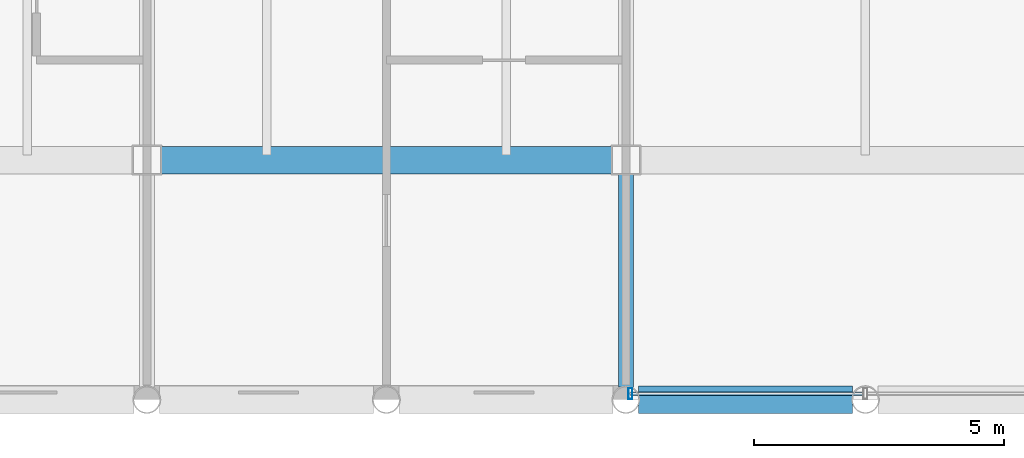
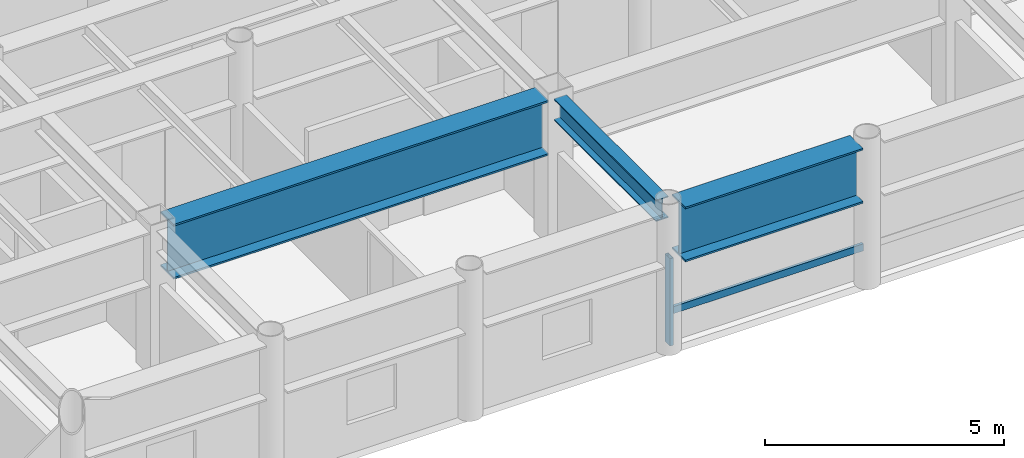
# One storey, part 6 of 27: 3 beams, 2 members, 1 element without a shape of its own.
"""IFC4 building model written with IfcOpenShell, lengths in metres."""

from ifc_helpers import new_model, si_unit, direction, frame, origin, origin_2d, place, context, subcontext, project, spatial, hollow_rectangle, i_section, extrude, material, layer, layer_set, material_profile, profile_set, type_object, element, aggregate, save


model = new_model("IFC4")

# Units and contexts
model_context = context("Model", 3, precision=1e-05, world=origin(), true_north=direction((0.0, 1.0)))
body_context = subcontext(model_context, "Body", "Model", "MODEL_VIEW")
ifc_project = project(units=[si_unit("LENGTHUNIT", "METRE"), si_unit("AREAUNIT", "SQUARE_METRE"), si_unit("VOLUMEUNIT", "CUBIC_METRE"), si_unit("PLANEANGLEUNIT", "RADIAN"), si_unit("MASSUNIT", "GRAM", prefix="KILO")], contexts=[model_context])

# Site, building, storey
site_placement = place(None, origin())
site = spatial("IfcSite", under=ifc_project, at=site_placement, CompositionType="ELEMENT")
building_placement = place(site_placement, origin())
building = spatial("IfcBuilding", under=site, at=building_placement, Name="Kallvorn Hotel Tower", CompositionType="ELEMENT")
storey_placement = place(building_placement, frame((0.0, 0.0, 245.39990234375)))
storey = spatial("IfcBuildingStorey", under=building, at=storey_placement, Name="L61", CompositionType="ELEMENT", Elevation=245.39990234375)

# Beams
ifc_material_1 = material(Name="Structural steel S355JR", Category="steel")
ifc_material_profile_1 = material_profile(ifc_material_1, i_section(OverallWidth=0.300048828125, OverallDepth=0.550048828125, WebThickness=0.014892578125, FlangeThickness=0.029052734375, at=origin_2d()), Name="HE 550 B")
ifc_profile_set_1 = profile_set([ifc_material_profile_1], Name="Structural steel S355JR")
beam_type_1 = type_object("IfcBeamType", Name="BM_HE550B", PredefinedType="SPANDREL", material=ifc_profile_set_1)
beam_1_placement = place(storey_placement, frame((-4.800048828125, -18.945556640625, 3.39501953125), z_axis=(0.0, 1.0, 0.0), x_axis=(-1.0, 0.0, 0.0)))
element("IfcBeam", 1, at=beam_1_placement, inside=storey, type_object=beam_type_1, Name="L62 Primary Y-Girder 114", PredefinedType="SPANDREL", context=body_context, shape_type="SweptSolid", body=[
    extrude(i_section(OverallWidth=0.300048828125, OverallDepth=0.550048828125, WebThickness=0.014892578125, FlangeThickness=0.029052734375, at=origin_2d()), origin(), (0.0, 0.0, 1.0), 4.2705078125),
])
ifc_material_2 = material(Name="Structural steel S355JR", Category="steel")
ifc_material_profile_2 = material_profile(ifc_material_2, i_section(OverallWidth=0.550048828125, OverallDepth=1.39990234375, WebThickness=0.02490234375, FlangeThickness=0.044921875, at=origin_2d()), Name="PG 1400x550x25x45")
ifc_profile_set_2 = profile_set([ifc_material_profile_2], Name="Structural steel S355JR")
beam_type_2 = type_object("IfcBeamType", Name="BM_PG_1400", PredefinedType="BEAM", material=ifc_profile_set_2)
beam_2_placement = place(storey_placement, frame((-4.54541015625, -19.199951171875, 2.97021484375), z_axis=(1.0, 0.0, 0.0), x_axis=(0.0, 1.0, 0.0)))
element("IfcBeam", 2, at=beam_2_placement, inside=storey, type_object=beam_type_2, Name="L62 Primary X-Girder 15", PredefinedType="BEAM", context=body_context, shape_type="SweptSolid", body=[
    extrude(i_section(OverallWidth=0.550048828125, OverallDepth=1.39990234375, WebThickness=0.02490234375, FlangeThickness=0.044921875, at=origin_2d()), origin(), (0.0, 0.0, 1.0), 4.291015625),
])
beam_3_placement = place(storey_placement, frame((-14.125, -14.39990234375, 2.97021484375), z_axis=(1.0, 0.0, 0.0), x_axis=(0.0, 1.0, 0.0)))
element("IfcBeam", 3, at=beam_3_placement, inside=storey, type_object=beam_type_2, Name="L62 Primary X-Girder 25", PredefinedType="BEAM", context=body_context, shape_type="SweptSolid", body=[
    extrude(i_section(OverallWidth=0.550048828125, OverallDepth=1.39990234375, WebThickness=0.02490234375, FlangeThickness=0.044921875, at=origin_2d()), origin(), (0.0, 0.0, 1.0), 9.050048828125),
])

# Curtain wall, members
ifc_material_3 = material(Name="Thermally broken black-anodised aluminium AA 6063-T6", Category="aluminium")
ifc_layer = layer(ifc_material_3, 0.22998046875)
ifc_layer_set = layer_set([ifc_layer], Name="CW_SYS_5_HOTEL_HIGH")
curtain_wall_type = type_object("IfcCurtainWallType", Name="CW_SYS_5_HOTEL_HIGH", PredefinedType="USERDEFINED", material=ifc_layer_set)
curtain_wall_placement = place(storey_placement, origin())
curtain_wall = element("IfcCurtainWall", 4, at=curtain_wall_placement, inside=storey, type_object=curtain_wall_type, Name="L61 Dark-Glass Curtain Wall CW-L61-SC", ObjectType="UNITISED CURTAIN WALL", PredefinedType="USERDEFINED")
ifc_material_4 = material(Name="Thermally broken black-anodised aluminium AA 6063-T6", Category="aluminium")
ifc_material_profile_3 = material_profile(ifc_material_4, hollow_rectangle(XDim=0.080078125, YDim=0.219970703125, WallThickness=0.0048828125, at=origin_2d()), Name="MUL 220x80")
ifc_profile_set_3 = profile_set([ifc_material_profile_3], Name="Thermally broken black-anodised aluminium AA 6063-T6")
member_type_1 = type_object("IfcMemberType", Name="CW_MULLION_220x80", PredefinedType="MULLION", material=ifc_profile_set_3)
member_1_placement = place(storey_placement, frame((-4.7099609375, -19.080078125, 0.02001953125), z_axis=(0.0, 0.0, 1.0), x_axis=(1.0, 0.0, 0.0)))
member_1 = element("IfcMember", 5, at=member_1_placement, type_object=member_type_1, Name="CW-L61-SC Mullion 00", PredefinedType="MULLION", context=body_context, shape_type="SweptSolid", body=[
    extrude(hollow_rectangle(XDim=0.080078125, YDim=0.219970703125, WallThickness=0.0048828125, at=origin_2d()), origin(), (0.0, 0.0, 1.0), 2.22998046875),
])
ifc_material_5 = material(Name="Thermally broken black-anodised aluminium AA 6063-T6", Category="aluminium")
ifc_material_profile_4 = material_profile(ifc_material_5, hollow_rectangle(XDim=0.070068359375, YDim=0.179931640625, WallThickness=0.00390625, at=origin_2d()), Name="TRN 180x70")
ifc_profile_set_4 = profile_set([ifc_material_profile_4], Name="Thermally broken black-anodised aluminium AA 6063-T6")
member_type_2 = type_object("IfcMemberType", Name="CW_TRANSOM_180x70", PredefinedType="USERDEFINED", material=ifc_profile_set_4)
member_2_placement = place(storey_placement, frame((-4.7099609375, -19.080078125, 0.85009765625), z_axis=(1.0, 0.0, 0.0), x_axis=(0.0, 1.0, 0.0)))
member_2 = element("IfcMember", 6, at=member_2_placement, type_object=member_type_2, Name="CW-L61-SC Transom 00M", ObjectType="TRANSOM", PredefinedType="USERDEFINED", context=body_context, shape_type="SweptSolid", body=[
    extrude(hollow_rectangle(XDim=0.070068359375, YDim=0.179931640625, WallThickness=0.00390625, at=origin_2d()), origin(), (0.0, 0.0, 1.0), 4.669921875),
])
aggregate(curtain_wall, [member_1, member_2])

save(model, "model.ifc")
